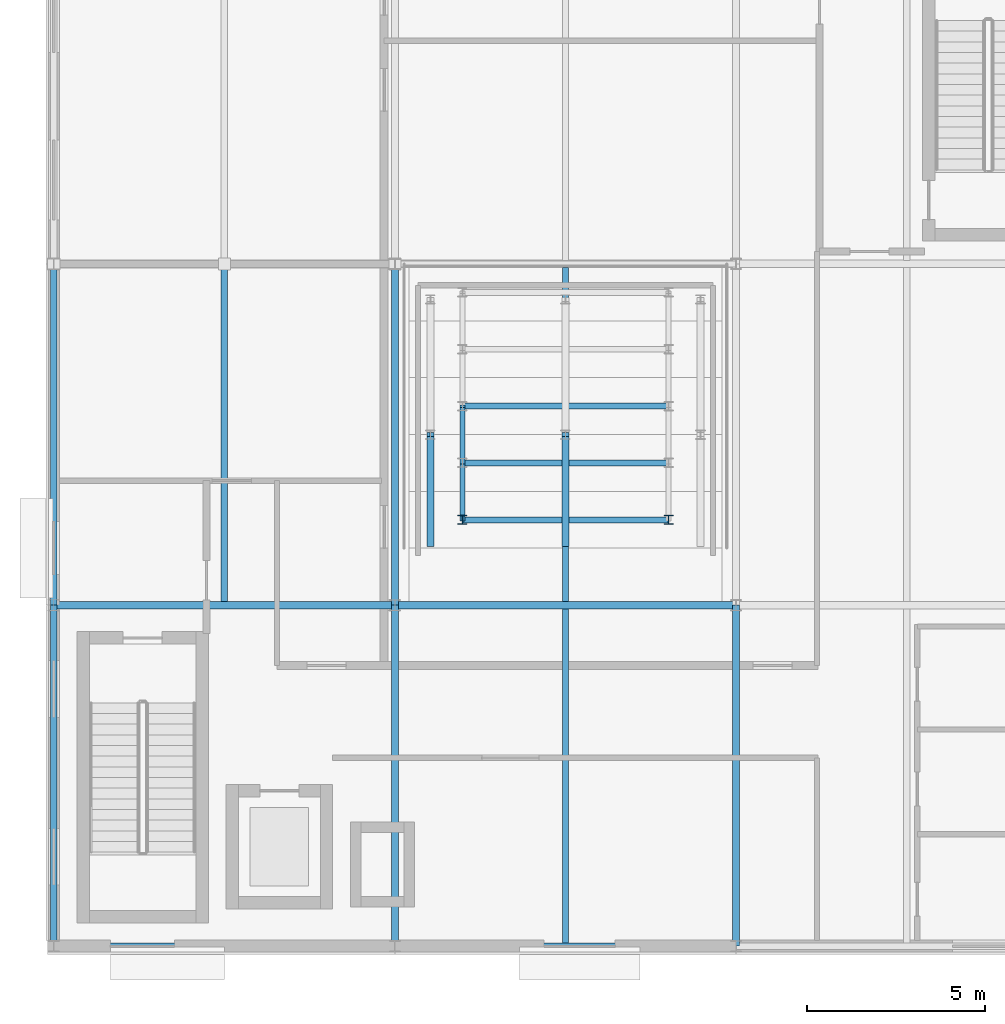
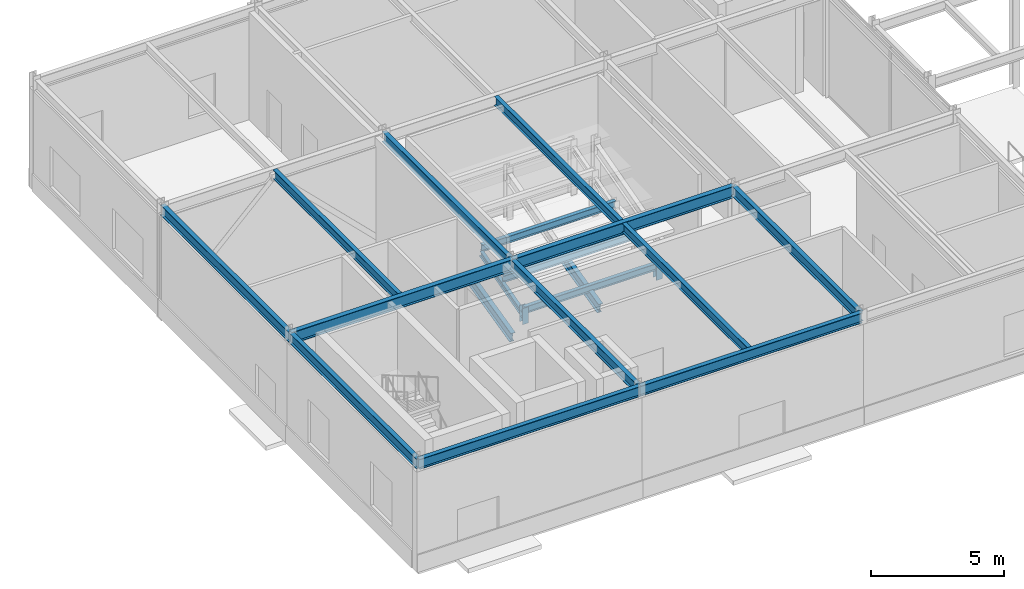
# One storey, part 20 of 168: 19 beams, 2 columns.
"""IFC4 building model written with IfcOpenShell, lengths in metres."""

import ifcopenshell
import ifcopenshell.guid

model = None  # the IFC model being written
_history = None  # IfcOwnerHistory: only IFC2X3 demands one
_inside = {}  # id of a spatial element -> (the spatial element, [elements in it])
_under = {}  # id of a project, library or spatial element -> (it, [spatial elements below it])
_declared = {}  # id of a project -> (the project, [libraries it declares])
_typed = {}  # id of a type object -> (the type object, [elements of that type])
_made_of = {}  # id of a material, layer set ... -> (it, [elements and type objects made of it])


def new_model(schema):
    """Start an empty IFC model of exactly this schema.

    Asked for "IFC4X3", IfcOpenShell would pick the latest addendum, in which some entities
    have other attributes; the version numbers below select the first issue.
    IFC2X3 requires an IfcOwnerHistory on every rooted entity: one is made here for all.
    """
    global model, _history
    if schema == "IFC4X3":
        model = ifcopenshell.file(schema_version=(4, 3, 0, 0))
    else:
        model = ifcopenshell.file(schema=schema)
    _inside.clear()
    _under.clear()
    _declared.clear()
    _typed.clear()
    _made_of.clear()
    _history = None
    if model.schema == "IFC2X3":
        org = make("IfcOrganization", Name="unknown")
        user = make(
            "IfcPersonAndOrganization",
            ThePerson=make("IfcPerson", FamilyName="unknown"),
            TheOrganization=org,
        )
        app = make(
            "IfcApplication",
            ApplicationDeveloper=org,
            Version="unknown",
            ApplicationFullName="unknown",
            ApplicationIdentifier="unknown",
        )
        _history = make(
            "IfcOwnerHistory",
            OwningUser=user,
            OwningApplication=app,
            ChangeAction="ADDED",
            CreationDate=0,
        )
    return model


def make(cls, **values):
    """One entity of the class cls with the attributes given. An attribute that is None is left unset."""
    return model.create_entity(
        cls, **{name: value for name, value in values.items() if value is not None}
    )


def rooted(cls, **values):
    """An entity with a GlobalId (a new one), such as an element, a storey or a relation."""
    return make(cls, GlobalId=ifcopenshell.guid.new(), OwnerHistory=_history, **values)


def si_unit(unit_type, name, prefix=None):
    """IfcSIUnit, for example si_unit("LENGTHUNIT", "METRE", prefix="MILLI")."""
    return make("IfcSIUnit", UnitType=unit_type, Prefix=prefix, Name=name)


def assignment(units):
    """IfcUnitAssignment: the units of a project."""
    return None if units is None else make("IfcUnitAssignment", Units=units)


def point(xyz):
    """IfcCartesianPoint."""
    return None if xyz is None else make("IfcCartesianPoint", Coordinates=xyz)


def direction(xyz):
    """IfcDirection."""
    return None if xyz is None else make("IfcDirection", DirectionRatios=xyz)


def frame(location, z_axis=None, x_axis=None):
    """IfcAxis2Placement3D, a coordinate frame: its origin and axes. An axis left out is left unset."""
    return make(
        "IfcAxis2Placement3D",
        Location=point(location),
        Axis=direction(z_axis),
        RefDirection=direction(x_axis),
    )


def frame_2d(location, x_axis=None):
    """IfcAxis2Placement2D, a coordinate frame in the plane: its origin and x axis."""
    return make(
        "IfcAxis2Placement2D", Location=point(location), RefDirection=direction(x_axis)
    )


def origin():
    """The frame at (0, 0, 0) with its axes left unset."""
    return frame((0.0, 0.0, 0.0))


def origin_2d():
    """The frame at (0, 0) in the plane with its x axis left unset."""
    return frame_2d((0.0, 0.0))


def place(relative_to, where):
    """IfcLocalPlacement: puts the frame where relative to a parent placement (None: the world)."""
    return make(
        "IfcLocalPlacement", PlacementRelTo=relative_to, RelativePlacement=where
    )


def context(
    kind, dimensions, precision=None, world=None, true_north=None, identifier=None
):
    """IfcGeometricRepresentationContext, for example the 3D "Model" context."""
    return make(
        "IfcGeometricRepresentationContext",
        ContextIdentifier=identifier,
        ContextType=kind,
        CoordinateSpaceDimension=dimensions,
        Precision=precision,
        WorldCoordinateSystem=world,
        TrueNorth=true_north,
    )


def subcontext(parent, identifier, kind, view, scale=None):
    """IfcGeometricRepresentationSubContext, for example "Body" below "Model"."""
    return make(
        "IfcGeometricRepresentationSubContext",
        ContextIdentifier=identifier,
        ContextType=kind,
        ParentContext=parent,
        TargetScale=scale,
        TargetView=view,
    )


def project(units=None, contexts=None):
    """IfcProject with its units and contexts."""
    return rooted(
        "IfcProject",
        Name="project",
        RepresentationContexts=contexts,
        UnitsInContext=assignment(units),
    )


def spatial(cls, under=None, at=None, **own):
    """A site, building, storey or space (cls), placed at a placement, below another one or the project."""
    s = rooted(cls, ObjectPlacement=at, **own)
    if under is not None:
        _under.setdefault(under.id(), (under, []))[1].append(s)
    return s


def profile(cls, at=None, kind="AREA", **sizes):
    """A parametric profile (cls). Its sizes go by their IFC names, for example OverallWidth=200.0."""
    return make(cls, ProfileType=kind, Position=at, **sizes)


def i_section(**sizes):
    """IfcIShapeProfileDef."""
    return profile("IfcIShapeProfileDef", **sizes)


def extrude(swept, where, along, depth):
    """IfcExtrudedAreaSolid: the profile swept, set in the frame where, extruded along a direction by depth."""
    return make(
        "IfcExtrudedAreaSolid",
        SweptArea=swept,
        Position=where,
        ExtrudedDirection=direction(along),
        Depth=depth,
    )


def shape(context_of_items, identifier, shape_type, items):
    """IfcShapeRepresentation: the items that make up one representation, for example the "Body"."""
    return make(
        "IfcShapeRepresentation",
        ContextOfItems=context_of_items,
        RepresentationIdentifier=identifier,
        RepresentationType=shape_type,
        Items=items,
    )


def material(Name=None, Category=None):
    """IfcMaterial."""
    return make("IfcMaterial", Name=Name, Category=Category)


def material_profile(
    of_material, cross_section, Name=None, Category=None, Priority=None
):
    """IfcMaterialProfile: a cross section and its material."""
    return make(
        "IfcMaterialProfile",
        Name=Name,
        Material=of_material,
        Profile=cross_section,
        Priority=Priority,
        Category=Category,
    )


def profile_set(profiles, Name=None, composite=None):
    """IfcMaterialProfileSet."""
    return make(
        "IfcMaterialProfileSet",
        Name=Name,
        MaterialProfiles=profiles,
        CompositeProfile=composite,
    )


def made_of(thing, what):
    """Note that an element or type object is made of a material, layer set ...; save() writes the relation."""
    if what is not None:
        _made_of.setdefault(what.id(), (what, []))[1].append(thing)
    return thing


def type_object(cls, material=None, **own):
    """A type object (cls), such as IfcWallType, which elements share."""
    return made_of(rooted(cls, **own), material)


def element(
    cls,
    number,
    at=None,
    inside=None,
    cuts=None,
    type_object=None,
    material=None,
    context=None,
    identifier="Body",
    shape_type=None,
    held_by="IfcProductDefinitionShape",
    body=None,
    shapes=None,
    **own,
):
    """One element of the class cls, such as IfcWall. Its Tag is "e" and its number.

    at: its placement. inside: the storey or other place that contains it. cuts: it is an
    opening in that element (IfcRelVoidsElement). A single representation is given by context,
    identifier, shape_type and body (its items); several are given by shapes. held_by: the class
    of the entity that holds the representations. save() writes the other relations.
    """
    e = rooted(cls, Tag="e%d" % number, ObjectPlacement=at, **own)
    if body is not None:
        shapes = [shape(context, identifier, shape_type, body)]
    if shapes is not None:
        e.Representation = make(held_by, Representations=shapes)
    if inside is not None:
        _inside.setdefault(inside.id(), (inside, []))[1].append(e)
    if cuts is not None:
        rooted(
            "IfcRelVoidsElement", RelatingBuildingElement=cuts, RelatedOpeningElement=e
        )
    if type_object is not None:
        _typed.setdefault(type_object.id(), (type_object, []))[1].append(e)
    return made_of(e, material)


def aggregate(whole, parts):
    """IfcRelAggregates: a whole, such as a stair, and the parts it consists of."""
    return rooted("IfcRelAggregates", RelatingObject=whole, RelatedObjects=parts)


def save(model, path):
    """Write the relations noted so far, then the file.

    IfcRelAggregates (storeys below a building ...), IfcRelContainedInSpatialStructure (elements
    in a storey), IfcRelDefinesByType, IfcRelAssociatesMaterial and IfcRelDeclares: one each for
    every whole, place, type object, material and project.
    """
    for whole, parts in _under.values():
        aggregate(whole, parts)
    for where, things in _inside.values():
        rooted(
            "IfcRelContainedInSpatialStructure",
            RelatedElements=things,
            RelatingStructure=where,
        )
    for kind, things in _typed.values():
        rooted("IfcRelDefinesByType", RelatedObjects=things, RelatingType=kind)
    for what, things in _made_of.values():
        rooted("IfcRelAssociatesMaterial", RelatedObjects=things, RelatingMaterial=what)
    for by, libraries in _declared.values():
        rooted("IfcRelDeclares", RelatingContext=by, RelatedDefinitions=libraries)
    model.write(path)


model = new_model("IFC4")

# Units and contexts
model_context = context("Model", 3, precision=1e-05, world=origin(), true_north=direction((0.0, 1.0)))
body_context = subcontext(model_context, "Body", "Model", "MODEL_VIEW")
ifc_project = project(units=[si_unit("LENGTHUNIT", "METRE"), si_unit("AREAUNIT", "SQUARE_METRE"), si_unit("VOLUMEUNIT", "CUBIC_METRE"), si_unit("PLANEANGLEUNIT", "RADIAN"), si_unit("MASSUNIT", "GRAM", prefix="KILO")], contexts=[model_context])

# Site, building, storey
site_placement = place(None, origin())
site = spatial("IfcSite", under=ifc_project, at=site_placement, CompositionType="ELEMENT")
building_placement = place(site_placement, origin())
building = spatial("IfcBuilding", under=site, at=building_placement, Name="Almandine Court Research Institute", CompositionType="ELEMENT")
storey_placement = place(building_placement, origin())
storey = spatial("IfcBuildingStorey", under=building, at=storey_placement, Name="L00", CompositionType="ELEMENT", Elevation=0.0)

# Columns
ifc_material = material(Name="Steel ASTM A992 Grade 50", Category="steel")
ifc_material_profile_1 = material_profile(ifc_material, i_section(OverallWidth=0.25390625, OverallDepth=0.2529296875, WebThickness=0.009033203125, FlangeThickness=0.013916015625, at=origin_2d()), Name="W250x73")
ifc_profile_set_1 = profile_set([ifc_material_profile_1], Name="Steel ASTM A992 Grade 50")
column_type = type_object("IfcColumnType", Name="Col-C-W10", PredefinedType="COLUMN", material=ifc_profile_set_1)
for number, where, z_axis, x_axis, name in (
    (1, (17.5, 18.0, 0.0), (0.0, 0.0, 1.0), (1.0, 0.0, 0.0), "L00 V1 Column V1TR2W"),
    (2, (23.300048828125, 18.0, 0.0), (0.0, 0.0, 1.0), (1.0, 0.0, 0.0), "L00 V1 Column V1TR2E"),
):
    element("IfcColumn", number, at=place(storey_placement, frame(where, z_axis=z_axis, x_axis=x_axis)), inside=storey, type_object=column_type, Name=name, PredefinedType="COLUMN", context=body_context, shape_type="SweptSolid", body=[
        extrude(i_section(OverallWidth=0.25390625, OverallDepth=0.2529296875, WebThickness=0.009033203125, FlangeThickness=0.013916015625, at=origin_2d()), origin(), (0.0, 0.0, 1.0), 0.739990234375),
    ])

# Beams
ifc_material_profile_2 = material_profile(ifc_material, i_section(OverallWidth=0.18994140625, OverallDepth=0.45703125, WebThickness=0.009033203125, FlangeThickness=0.014892578125, at=origin_2d()), Name="W460x74")
ifc_profile_set_2 = profile_set([ifc_material_profile_2], Name="Steel ASTM A992 Grade 50")
beam_type_1 = type_object("IfcBeamType", Name="Beam-B-01", PredefinedType="BEAM", material=ifc_profile_set_2)
for number, where, z_axis, x_axis, name in (
    (3, (15.60009765625, 6.0, 4.841064453125), (0.0, 1.0, 0.0), (-1.0, 0.0, 0.0), "L00 V1 Primary Y Girder"),
    (4, (25.199951171875, 6.0, 4.841064453125), (0.0, 1.0, 0.0), (-1.0, 0.0, 0.0), "L00 V1 Primary Y Girder"),
):
    element("IfcBeam", number, at=place(storey_placement, frame(where, z_axis=z_axis, x_axis=x_axis)), inside=storey, type_object=beam_type_1, Name=name, PredefinedType="BEAM", context=body_context, shape_type="SweptSolid", body=[
        extrude(i_section(OverallWidth=0.18994140625, OverallDepth=0.45703125, WebThickness=0.009033203125, FlangeThickness=0.014892578125, at=origin_2d()), origin(), (0.0, 0.0, 1.0), 9.60009765625),
    ])
beam_1_placement = place(storey_placement, frame((15.60009765625, 15.60009765625, 4.841064453125), z_axis=(0.0, 1.0, 0.0), x_axis=(-1.0, 0.0, 0.0)))
element("IfcBeam", 5, at=beam_1_placement, inside=storey, type_object=beam_type_1, Name="L00 V1 Primary Y Girder", PredefinedType="BEAM", context=body_context, shape_type="SweptSolid", body=[
    extrude(i_section(OverallWidth=0.18994140625, OverallDepth=0.45703125, WebThickness=0.009033203125, FlangeThickness=0.014892578125, at=origin_2d()), origin(), (0.0, 0.0, 1.0), 9.599853515625),
])
ifc_material_profile_3 = material_profile(ifc_material, i_section(OverallWidth=0.178955078125, OverallDepth=0.409912109375, WebThickness=0.009033203125, FlangeThickness=0.013916015625, at=origin_2d()), Name="W410x67")
ifc_profile_set_3 = profile_set([ifc_material_profile_3], Name="Steel ASTM A992 Grade 50")
beam_type_2 = type_object("IfcBeamType", Name="Beam-B-02", PredefinedType="JOIST", material=ifc_profile_set_3)
beam_2_placement = place(storey_placement, frame((20.39990234375, 6.094970703125, 4.864990234375), z_axis=(0.0, 1.0, 0.0), x_axis=(-1.0, 0.0, 0.0)))
element("IfcBeam", 6, at=beam_2_placement, inside=storey, type_object=beam_type_2, Name="L00 V1 Composite Secondary Beam", PredefinedType="JOIST", context=body_context, shape_type="SweptSolid", body=[
    extrude(i_section(OverallWidth=0.178955078125, OverallDepth=0.409912109375, WebThickness=0.009033203125, FlangeThickness=0.013916015625, at=origin_2d()), origin(), (0.0, 0.0, 1.0), 9.401123046875),
])
for number, where, z_axis, x_axis, name in (
    (7, (10.800048828125, 15.7041015625, 4.864990234375), (0.0, 1.0, 0.0), (-1.0, 0.0, 0.0), "L00 V1 Composite Secondary Beam"),
    (8, (20.39990234375, 15.7041015625, 4.864990234375), (0.0, 1.0, 0.0), (-1.0, 0.0, 0.0), "L00 V1 Composite Secondary Beam"),
):
    element("IfcBeam", number, at=place(storey_placement, frame(where, z_axis=z_axis, x_axis=x_axis)), inside=storey, type_object=beam_type_2, Name=name, PredefinedType="JOIST", context=body_context, shape_type="SweptSolid", body=[
        extrude(i_section(OverallWidth=0.178955078125, OverallDepth=0.409912109375, WebThickness=0.009033203125, FlangeThickness=0.013916015625, at=origin_2d()), origin(), (0.0, 0.0, 1.0), 9.391845703125),
    ])
ifc_material_profile_4 = material_profile(ifc_material, i_section(OverallWidth=0.166015625, OverallDepth=0.31298828125, WebThickness=0.007080078125, FlangeThickness=0.010986328125, at=origin_2d()), Name="W310x45")
ifc_profile_set_4 = profile_set([ifc_material_profile_4], Name="Steel ASTM A992 Grade 50")
beam_type_3 = type_object("IfcBeamType", Name="Beam-B-04", PredefinedType="BEAM", material=ifc_profile_set_4)
for number, where, z_axis, x_axis, name in (
    (9, (17.5, 18.0, 0.583984375), (1.0, 0.0, 0.0), (0.0, 1.0, 0.0), "L00 Lecture Seating Tier Bearer 2"),
    (10, (17.5, 19.60009765625, 1.032958984375), (1.0, 0.0, 0.0), (0.0, 1.0, 0.0), "L00 Lecture Seating Tier Bearer 3"),
    (11, (17.5, 21.199951171875, 1.48291015625), (1.0, 0.0, 0.0), (0.0, 1.0, 0.0), "L00 Lecture Seating Tier Bearer 4"),
):
    element("IfcBeam", number, at=place(storey_placement, frame(where, z_axis=z_axis, x_axis=x_axis)), inside=storey, type_object=beam_type_3, Name=name, PredefinedType="BEAM", context=body_context, shape_type="SweptSolid", body=[
        extrude(i_section(OverallWidth=0.166015625, OverallDepth=0.31298828125, WebThickness=0.007080078125, FlangeThickness=0.010986328125, at=origin_2d()), origin(), (0.0, 0.0, 1.0), 5.800048828125),
    ])
ifc_material_profile_5 = material_profile(ifc_material, i_section(OverallWidth=0.2109375, OverallDepth=0.5390625, WebThickness=0.011962890625, FlangeThickness=0.01904296875, at=origin_2d()), Name="W530x109")
ifc_profile_set_5 = profile_set([ifc_material_profile_5], Name="Steel ASTM A992 Grade 50")
beam_type_4 = type_object("IfcBeamType", Name="Beam-G-04", PredefinedType="BEAM", material=ifc_profile_set_5)
beam_3_placement = place(storey_placement, frame((6.0, 15.60009765625, 4.801025390625), z_axis=(1.0, 0.0, 0.0), x_axis=(0.0, 1.0, 0.0)))
element("IfcBeam", 12, at=beam_3_placement, inside=storey, type_object=beam_type_4, Name="L00 V1 Primary X Girder", PredefinedType="BEAM", context=body_context, shape_type="SweptSolid", body=[
    extrude(i_section(OverallWidth=0.2109375, OverallDepth=0.5390625, WebThickness=0.011962890625, FlangeThickness=0.01904296875, at=origin_2d()), origin(), (0.0, 0.0, 1.0), 9.60009765625),
])
beam_4_placement = place(storey_placement, frame((15.60009765625, 15.60009765625, 4.801025390625), z_axis=(1.0, 0.0, 0.0), x_axis=(0.0, 1.0, 0.0)))
element("IfcBeam", 13, at=beam_4_placement, inside=storey, type_object=beam_type_4, Name="L00 V1 Primary X Girder", PredefinedType="BEAM", context=body_context, shape_type="SweptSolid", body=[
    extrude(i_section(OverallWidth=0.2109375, OverallDepth=0.5390625, WebThickness=0.011962890625, FlangeThickness=0.01904296875, at=origin_2d()), origin(), (0.0, 0.0, 1.0), 9.599853515625),
])
ifc_material_profile_6 = material_profile(ifc_material, i_section(OverallWidth=0.193115234375, OverallDepth=0.466064453125, WebThickness=0.010986328125, FlangeThickness=0.01904296875, at=origin_2d()), Name="W460x97")
ifc_profile_set_6 = profile_set([ifc_material_profile_6], Name="Steel ASTM A992 Grade 50")
beam_type_5 = type_object("IfcBeamType", Name="Beam-G-06-E", PredefinedType="SPANDREL", material=ifc_profile_set_6)
beam_5_placement = place(storey_placement, frame((6.0, 6.0, 4.8369140625), z_axis=(1.0, 0.0, 0.0), x_axis=(0.0, 1.0, 0.0)))
element("IfcBeam", 14, at=beam_5_placement, inside=storey, type_object=beam_type_5, Name="L00 V1 Primary X Girder", PredefinedType="SPANDREL", context=body_context, shape_type="SweptSolid", body=[
    extrude(i_section(OverallWidth=0.193115234375, OverallDepth=0.466064453125, WebThickness=0.010986328125, FlangeThickness=0.01904296875, at=origin_2d()), origin(), (0.0, 0.0, 1.0), 9.60009765625),
])
beam_6_placement = place(storey_placement, frame((15.60009765625, 6.0, 4.8369140625), z_axis=(1.0, 0.0, 0.0), x_axis=(0.0, 1.0, 0.0)))
element("IfcBeam", 15, at=beam_6_placement, inside=storey, type_object=beam_type_5, Name="L00 V1 Primary X Girder", PredefinedType="SPANDREL", context=body_context, shape_type="SweptSolid", body=[
    extrude(i_section(OverallWidth=0.193115234375, OverallDepth=0.466064453125, WebThickness=0.010986328125, FlangeThickness=0.01904296875, at=origin_2d()), origin(), (0.0, 0.0, 1.0), 9.599853515625),
])
beam_7_placement = place(storey_placement, frame((6.0, 6.0, 4.8369140625), z_axis=(0.0, 1.0, 0.0), x_axis=(-1.0, 0.0, 0.0)))
element("IfcBeam", 16, at=beam_7_placement, inside=storey, type_object=beam_type_5, Name="L00 V1 Primary Y Girder", PredefinedType="SPANDREL", context=body_context, shape_type="SweptSolid", body=[
    extrude(i_section(OverallWidth=0.193115234375, OverallDepth=0.466064453125, WebThickness=0.010986328125, FlangeThickness=0.01904296875, at=origin_2d()), origin(), (0.0, 0.0, 1.0), 9.60009765625),
])
beam_8_placement = place(storey_placement, frame((6.0, 15.60009765625, 4.8369140625), z_axis=(0.0, 1.0, 0.0), x_axis=(-1.0, 0.0, 0.0)))
element("IfcBeam", 17, at=beam_8_placement, inside=storey, type_object=beam_type_5, Name="L00 V1 Primary Y Girder", PredefinedType="SPANDREL", context=body_context, shape_type="SweptSolid", body=[
    extrude(i_section(OverallWidth=0.193115234375, OverallDepth=0.466064453125, WebThickness=0.010986328125, FlangeThickness=0.01904296875, at=origin_2d()), origin(), (0.0, 0.0, 1.0), 9.599853515625),
])
ifc_material_profile_7 = material_profile(ifc_material, i_section(OverallWidth=0.14697265625, OverallDepth=0.261962890625, WebThickness=0.007080078125, FlangeThickness=0.010986328125, at=origin_2d()), Name="W250x39")
ifc_profile_set_7 = profile_set([ifc_material_profile_7], Name="Steel ASTM A992 Grade 50")
beam_type_6 = type_object("IfcBeamType", Name="Beam-L-01", PredefinedType="LINTEL", material=ifc_profile_set_7)
beam_9_placement = place(storey_placement, frame((17.5, 18.0, 0.333984375), z_axis=(0.0, 0.962662902433, 0.270703040766), x_axis=(-1.0, 0.0, 0.0)))
element("IfcBeam", 18, at=beam_9_placement, inside=storey, type_object=beam_type_6, Name="L00 Lecture Tier Stringer W-1", PredefinedType="LINTEL", context=body_context, shape_type="SweptSolid", body=[
    extrude(i_section(OverallWidth=0.14697265625, OverallDepth=0.261962890625, WebThickness=0.007080078125, FlangeThickness=0.010986328125, at=origin_2d()), origin(), (0.0, 0.0, 1.0), 1.662109375),
])
beam_10_placement = place(storey_placement, frame((17.5, 19.60009765625, 0.783935546875), z_axis=(0.0, 0.962652136636, 0.270741322725), x_axis=(-1.0, 0.0, 0.0)))
element("IfcBeam", 19, at=beam_10_placement, inside=storey, type_object=beam_type_6, Name="L00 Lecture Tier Stringer W-2", PredefinedType="LINTEL", context=body_context, shape_type="SweptSolid", body=[
    extrude(i_section(OverallWidth=0.14697265625, OverallDepth=0.261962890625, WebThickness=0.007080078125, FlangeThickness=0.010986328125, at=origin_2d()), origin(), (0.0, 0.0, 1.0), 1.661865234375),
])
ifc_material_profile_8 = material_profile(ifc_material, i_section(OverallWidth=0.193115234375, OverallDepth=0.466064453125, WebThickness=0.010986328125, FlangeThickness=0.01904296875, at=origin_2d()), Name="W460x97")
ifc_profile_set_8 = profile_set([ifc_material_profile_8], Name="Steel ASTM A992 Grade 50")
beam_type_7 = type_object("IfcBeamType", Name="Beam-RK-01", PredefinedType="USERDEFINED", material=ifc_profile_set_8)
for number, where, z_axis, x_axis, name in (
    (20, (16.60009765625, 17.300048828125, 0.052001953125), (0.0, 0.971956234234, 0.235161813938), (-1.0, 0.0, 0.0), "L00 Lecture Theatre Raker Girder 1-1"),
    (21, (20.39990234375, 17.300048828125, 0.052001953125), (0.0, 0.971956234234, 0.235161813938), (-1.0, 0.0, 0.0), "L00 Lecture Theatre Raker Girder 2-1"),
):
    element("IfcBeam", number, at=place(storey_placement, frame(where, z_axis=z_axis, x_axis=x_axis)), inside=storey, type_object=beam_type_7, Name=name, ObjectType="RAKER", PredefinedType="USERDEFINED", context=body_context, shape_type="SweptSolid", body=[
        extrude(i_section(OverallWidth=0.193115234375, OverallDepth=0.466064453125, WebThickness=0.010986328125, FlangeThickness=0.01904296875, at=origin_2d()), origin(), (0.0, 0.0, 1.0), 3.189208984375),
    ])

save(model, "model.ifc")
